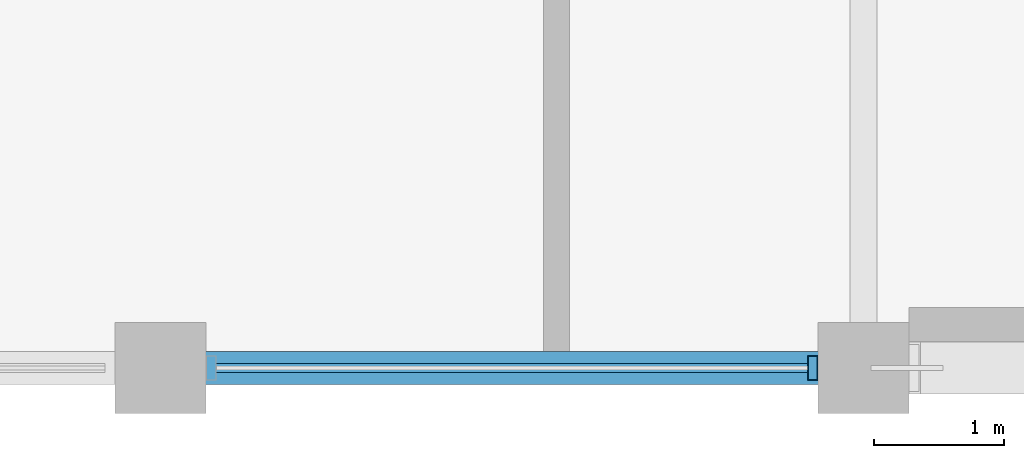
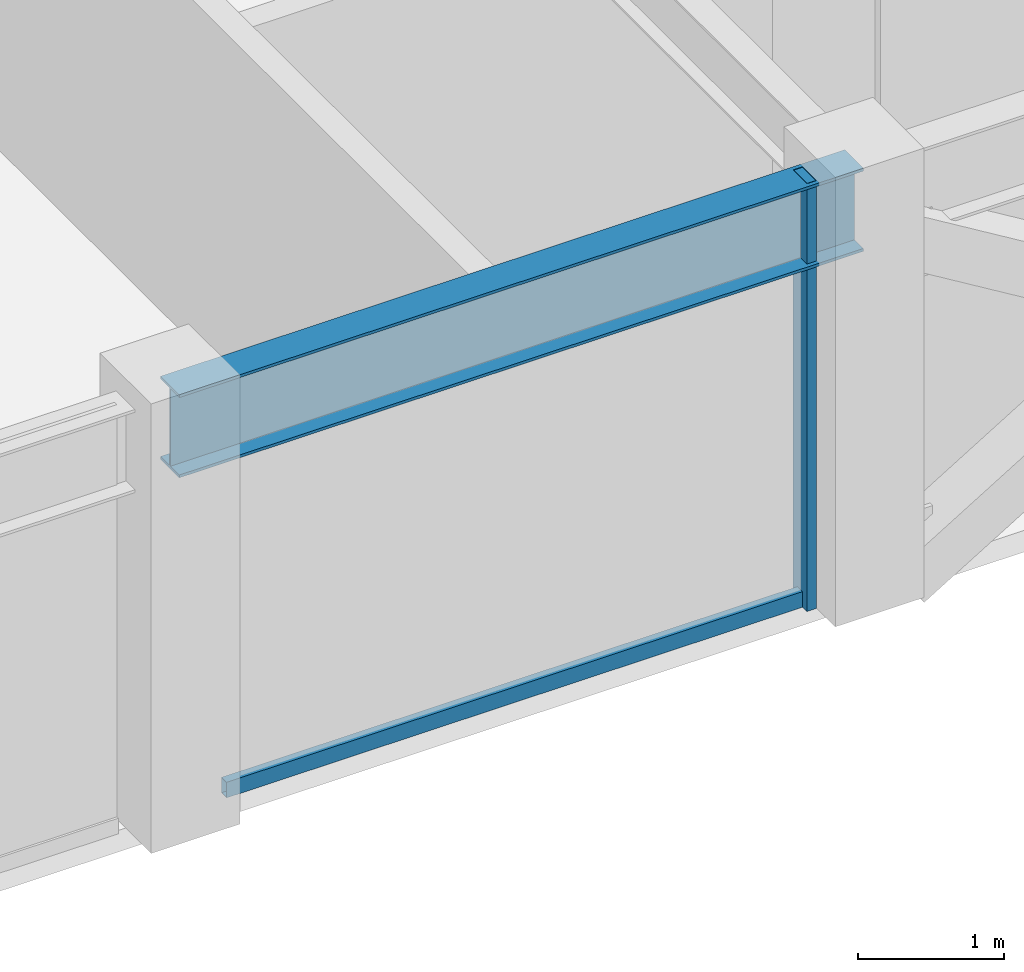
# One storey, part 3 of 30: 2 members, 1 beam, 1 element without a shape of its own.
"""IFC4 building model written with IfcOpenShell, lengths in metres."""

import ifcopenshell
import ifcopenshell.guid

model = None  # the IFC model being written
_history = None  # IfcOwnerHistory: only IFC2X3 demands one
_inside = {}  # id of a spatial element -> (the spatial element, [elements in it])
_under = {}  # id of a project, library or spatial element -> (it, [spatial elements below it])
_declared = {}  # id of a project -> (the project, [libraries it declares])
_typed = {}  # id of a type object -> (the type object, [elements of that type])
_made_of = {}  # id of a material, layer set ... -> (it, [elements and type objects made of it])


def new_model(schema):
    """Start an empty IFC model of exactly this schema.

    Asked for "IFC4X3", IfcOpenShell would pick the latest addendum, in which some entities
    have other attributes; the version numbers below select the first issue.
    IFC2X3 requires an IfcOwnerHistory on every rooted entity: one is made here for all.
    """
    global model, _history
    if schema == "IFC4X3":
        model = ifcopenshell.file(schema_version=(4, 3, 0, 0))
    else:
        model = ifcopenshell.file(schema=schema)
    _inside.clear()
    _under.clear()
    _declared.clear()
    _typed.clear()
    _made_of.clear()
    _history = None
    if model.schema == "IFC2X3":
        org = make("IfcOrganization", Name="unknown")
        user = make(
            "IfcPersonAndOrganization",
            ThePerson=make("IfcPerson", FamilyName="unknown"),
            TheOrganization=org,
        )
        app = make(
            "IfcApplication",
            ApplicationDeveloper=org,
            Version="unknown",
            ApplicationFullName="unknown",
            ApplicationIdentifier="unknown",
        )
        _history = make(
            "IfcOwnerHistory",
            OwningUser=user,
            OwningApplication=app,
            ChangeAction="ADDED",
            CreationDate=0,
        )
    return model


def make(cls, **values):
    """One entity of the class cls with the attributes given. An attribute that is None is left unset."""
    return model.create_entity(
        cls, **{name: value for name, value in values.items() if value is not None}
    )


def rooted(cls, **values):
    """An entity with a GlobalId (a new one), such as an element, a storey or a relation."""
    return make(cls, GlobalId=ifcopenshell.guid.new(), OwnerHistory=_history, **values)


def si_unit(unit_type, name, prefix=None):
    """IfcSIUnit, for example si_unit("LENGTHUNIT", "METRE", prefix="MILLI")."""
    return make("IfcSIUnit", UnitType=unit_type, Prefix=prefix, Name=name)


def assignment(units):
    """IfcUnitAssignment: the units of a project."""
    return None if units is None else make("IfcUnitAssignment", Units=units)


def point(xyz):
    """IfcCartesianPoint."""
    return None if xyz is None else make("IfcCartesianPoint", Coordinates=xyz)


def direction(xyz):
    """IfcDirection."""
    return None if xyz is None else make("IfcDirection", DirectionRatios=xyz)


def frame(location, z_axis=None, x_axis=None):
    """IfcAxis2Placement3D, a coordinate frame: its origin and axes. An axis left out is left unset."""
    return make(
        "IfcAxis2Placement3D",
        Location=point(location),
        Axis=direction(z_axis),
        RefDirection=direction(x_axis),
    )


def frame_2d(location, x_axis=None):
    """IfcAxis2Placement2D, a coordinate frame in the plane: its origin and x axis."""
    return make(
        "IfcAxis2Placement2D", Location=point(location), RefDirection=direction(x_axis)
    )


def origin():
    """The frame at (0, 0, 0) with its axes left unset."""
    return frame((0.0, 0.0, 0.0))


def origin_2d():
    """The frame at (0, 0) in the plane with its x axis left unset."""
    return frame_2d((0.0, 0.0))


def place(relative_to, where):
    """IfcLocalPlacement: puts the frame where relative to a parent placement (None: the world)."""
    return make(
        "IfcLocalPlacement", PlacementRelTo=relative_to, RelativePlacement=where
    )


def context(
    kind, dimensions, precision=None, world=None, true_north=None, identifier=None
):
    """IfcGeometricRepresentationContext, for example the 3D "Model" context."""
    return make(
        "IfcGeometricRepresentationContext",
        ContextIdentifier=identifier,
        ContextType=kind,
        CoordinateSpaceDimension=dimensions,
        Precision=precision,
        WorldCoordinateSystem=world,
        TrueNorth=true_north,
    )


def subcontext(parent, identifier, kind, view, scale=None):
    """IfcGeometricRepresentationSubContext, for example "Body" below "Model"."""
    return make(
        "IfcGeometricRepresentationSubContext",
        ContextIdentifier=identifier,
        ContextType=kind,
        ParentContext=parent,
        TargetScale=scale,
        TargetView=view,
    )


def project(units=None, contexts=None):
    """IfcProject with its units and contexts."""
    return rooted(
        "IfcProject",
        Name="project",
        RepresentationContexts=contexts,
        UnitsInContext=assignment(units),
    )


def spatial(cls, under=None, at=None, **own):
    """A site, building, storey or space (cls), placed at a placement, below another one or the project."""
    s = rooted(cls, ObjectPlacement=at, **own)
    if under is not None:
        _under.setdefault(under.id(), (under, []))[1].append(s)
    return s


def profile(cls, at=None, kind="AREA", **sizes):
    """A parametric profile (cls). Its sizes go by their IFC names, for example OverallWidth=200.0."""
    return make(cls, ProfileType=kind, Position=at, **sizes)


def hollow_rectangle(**sizes):
    """IfcRectangleHollowProfileDef."""
    return profile("IfcRectangleHollowProfileDef", **sizes)


def i_section(**sizes):
    """IfcIShapeProfileDef."""
    return profile("IfcIShapeProfileDef", **sizes)


def extrude(swept, where, along, depth):
    """IfcExtrudedAreaSolid: the profile swept, set in the frame where, extruded along a direction by depth."""
    return make(
        "IfcExtrudedAreaSolid",
        SweptArea=swept,
        Position=where,
        ExtrudedDirection=direction(along),
        Depth=depth,
    )


def shape(context_of_items, identifier, shape_type, items):
    """IfcShapeRepresentation: the items that make up one representation, for example the "Body"."""
    return make(
        "IfcShapeRepresentation",
        ContextOfItems=context_of_items,
        RepresentationIdentifier=identifier,
        RepresentationType=shape_type,
        Items=items,
    )


def material(Name=None, Category=None):
    """IfcMaterial."""
    return make("IfcMaterial", Name=Name, Category=Category)


def layer(
    of_material, thickness, ventilated=None, Name=None, Category=None, Priority=None
):
    """IfcMaterialLayer: one layer of a wall or slab, of a material (None: an air gap)."""
    return make(
        "IfcMaterialLayer",
        Material=of_material,
        LayerThickness=thickness,
        IsVentilated=ventilated,
        Name=Name,
        Category=Category,
        Priority=Priority,
    )


def layer_set(layers, Name=None):
    """IfcMaterialLayerSet."""
    return make("IfcMaterialLayerSet", MaterialLayers=layers, LayerSetName=Name)


def material_profile(
    of_material, cross_section, Name=None, Category=None, Priority=None
):
    """IfcMaterialProfile: a cross section and its material."""
    return make(
        "IfcMaterialProfile",
        Name=Name,
        Material=of_material,
        Profile=cross_section,
        Priority=Priority,
        Category=Category,
    )


def profile_set(profiles, Name=None, composite=None):
    """IfcMaterialProfileSet."""
    return make(
        "IfcMaterialProfileSet",
        Name=Name,
        MaterialProfiles=profiles,
        CompositeProfile=composite,
    )


def made_of(thing, what):
    """Note that an element or type object is made of a material, layer set ...; save() writes the relation."""
    if what is not None:
        _made_of.setdefault(what.id(), (what, []))[1].append(thing)
    return thing


def type_object(cls, material=None, **own):
    """A type object (cls), such as IfcWallType, which elements share."""
    return made_of(rooted(cls, **own), material)


def element(
    cls,
    number,
    at=None,
    inside=None,
    cuts=None,
    type_object=None,
    material=None,
    context=None,
    identifier="Body",
    shape_type=None,
    held_by="IfcProductDefinitionShape",
    body=None,
    shapes=None,
    **own,
):
    """One element of the class cls, such as IfcWall. Its Tag is "e" and its number.

    at: its placement. inside: the storey or other place that contains it. cuts: it is an
    opening in that element (IfcRelVoidsElement). A single representation is given by context,
    identifier, shape_type and body (its items); several are given by shapes. held_by: the class
    of the entity that holds the representations. save() writes the other relations.
    """
    e = rooted(cls, Tag="e%d" % number, ObjectPlacement=at, **own)
    if body is not None:
        shapes = [shape(context, identifier, shape_type, body)]
    if shapes is not None:
        e.Representation = make(held_by, Representations=shapes)
    if inside is not None:
        _inside.setdefault(inside.id(), (inside, []))[1].append(e)
    if cuts is not None:
        rooted(
            "IfcRelVoidsElement", RelatingBuildingElement=cuts, RelatedOpeningElement=e
        )
    if type_object is not None:
        _typed.setdefault(type_object.id(), (type_object, []))[1].append(e)
    return made_of(e, material)


def aggregate(whole, parts):
    """IfcRelAggregates: a whole, such as a stair, and the parts it consists of."""
    return rooted("IfcRelAggregates", RelatingObject=whole, RelatedObjects=parts)


def save(model, path):
    """Write the relations noted so far, then the file.

    IfcRelAggregates (storeys below a building ...), IfcRelContainedInSpatialStructure (elements
    in a storey), IfcRelDefinesByType, IfcRelAssociatesMaterial and IfcRelDeclares: one each for
    every whole, place, type object, material and project.
    """
    for whole, parts in _under.values():
        aggregate(whole, parts)
    for where, things in _inside.values():
        rooted(
            "IfcRelContainedInSpatialStructure",
            RelatedElements=things,
            RelatingStructure=where,
        )
    for kind, things in _typed.values():
        rooted("IfcRelDefinesByType", RelatedObjects=things, RelatingType=kind)
    for what, things in _made_of.values():
        rooted("IfcRelAssociatesMaterial", RelatedObjects=things, RelatingMaterial=what)
    for by, libraries in _declared.values():
        rooted("IfcRelDeclares", RelatingContext=by, RelatedDefinitions=libraries)
    model.write(path)


model = new_model("IFC4")

# Units and contexts
model_context = context("Model", 3, precision=1e-05, world=origin(), true_north=direction((0.0, 1.0)))
body_context = subcontext(model_context, "Body", "Model", "MODEL_VIEW")
ifc_project = project(units=[si_unit("LENGTHUNIT", "METRE"), si_unit("AREAUNIT", "SQUARE_METRE"), si_unit("VOLUMEUNIT", "CUBIC_METRE"), si_unit("PLANEANGLEUNIT", "RADIAN"), si_unit("MASSUNIT", "GRAM", prefix="KILO")], contexts=[model_context])

# Site, building, storey
site_placement = place(None, origin())
site = spatial("IfcSite", under=ifc_project, at=site_placement, CompositionType="ELEMENT")
building_placement = place(site_placement, origin())
building = spatial("IfcBuilding", under=site, at=building_placement, Name="Surkhivell Harbour Commons", CompositionType="ELEMENT")
storey_placement = place(building_placement, frame((0.0, 0.0, 296.25)))
storey = spatial("IfcBuildingStorey", under=building, at=storey_placement, Name="L77", CompositionType="ELEMENT", Elevation=296.25)

# Beam
ifc_material_1 = material(Name="Steel S355", Category="steel")
ifc_material_profile_1 = material_profile(ifc_material_1, i_section(OverallWidth=0.256103515625, OverallDepth=0.693115234375, WebThickness=0.014404296875, FlangeThickness=0.023681640625, at=origin_2d()), Name="UB686x254x170")
ifc_profile_set_1 = profile_set([ifc_material_profile_1], Name="Steel S355")
beam_type = type_object("IfcBeamType", Name="BM-SPN-686", PredefinedType="SPANDREL", material=ifc_profile_set_1)
beam_placement = place(storey_placement, frame((-16.199951171875, -21.60009765625, 3.223388671875), z_axis=(1.0, 0.0, 0.0), x_axis=(0.0, 1.0, 0.0)))
element("IfcBeam", 1, at=beam_placement, inside=storey, type_object=beam_type, Name="L77 Tube Spandrel (-16.2,-21.6)", PredefinedType="SPANDREL", context=body_context, shape_type="SweptSolid", body=[
    extrude(i_section(OverallWidth=0.256103515625, OverallDepth=0.693115234375, WebThickness=0.014404296875, FlangeThickness=0.023681640625, at=origin_2d()), origin(), (0.0, 0.0, 1.0), 5.39990234375),
])

# Curtain wall, members
ifc_material_2 = material(Name="Anodised pale-metal aluminium and insulated glazing", Category="aluminium")
ifc_layer = layer(ifc_material_2, 0.175048828125)
ifc_layer_set = layer_set([ifc_layer], Name="Anodised pale-metal aluminium and insulated glazing")
curtain_wall_type = type_object("IfcCurtainWallType", Name="CW-SYS-Z4", PredefinedType="NOTDEFINED", material=ifc_layer_set)
curtain_wall_placement = place(storey_placement, origin())
curtain_wall = element("IfcCurtainWall", 2, at=curtain_wall_placement, inside=storey, type_object=curtain_wall_type, Name="L77 Curtain Wall CW-L77-E00S1", PredefinedType="NOTDEFINED")
ifc_material_3 = material(Name="Anodised pale-metal aluminium alloy 6063-T6", Category="aluminium")
ifc_material_profile_2 = material_profile(ifc_material_3, hollow_rectangle(XDim=0.074951171875, YDim=0.18994140625, WallThickness=0.00390625, at=origin_2d()), Name="ALU-MULL-75x190")
ifc_profile_set_2 = profile_set([ifc_material_profile_2], Name="Anodised pale-metal aluminium alloy 6063-T6")
member_type_1 = type_object("IfcMemberType", Name="CWM-190", PredefinedType="MULLION", material=ifc_profile_set_2)
member_1_placement = place(storey_placement, frame((-11.189453125, -21.60009765625, 0.0), z_axis=(0.0, 0.0, 1.0), x_axis=(1.0, 0.0, 0.0)))
member_1 = element("IfcMember", 3, at=member_1_placement, type_object=member_type_1, Name="CW-Z4 mullion 3", PredefinedType="MULLION", context=body_context, shape_type="SweptSolid", body=[
    extrude(hollow_rectangle(XDim=0.074951171875, YDim=0.18994140625, WallThickness=0.00390625, at=origin_2d()), origin(), (0.0, 0.0, 1.0), 3.570068359375),
])
ifc_material_4 = material(Name="Champagne anodised aluminium alloy 6063-T6", Category="aluminium")
ifc_material_profile_3 = material_profile(ifc_material_4, hollow_rectangle(XDim=0.070068359375, YDim=0.1298828125, WallThickness=0.00341796875, at=origin_2d()), Name="ALU-TRAN-70x130")
ifc_profile_set_3 = profile_set([ifc_material_profile_3], Name="Champagne anodised aluminium alloy 6063-T6")
member_type_2 = type_object("IfcMemberType", Name="CWT-130", PredefinedType="USERDEFINED", material=ifc_profile_set_3)
member_2_placement = place(storey_placement, frame((-15.77294921875, -21.60009765625, 0.06494140625), z_axis=(1.0, 0.0, 0.0), x_axis=(0.0, 1.0, 0.0)))
member_2 = element("IfcMember", 4, at=member_2_placement, type_object=member_type_2, Name="CW-Z4 transom 2.1", ObjectType="TRANSOM", PredefinedType="USERDEFINED", context=body_context, shape_type="SweptSolid", body=[
    extrude(hollow_rectangle(XDim=0.070068359375, YDim=0.1298828125, WallThickness=0.00341796875, at=origin_2d()), origin(), (0.0, 0.0, 1.0), 4.5458984375),
])
aggregate(curtain_wall, [member_1, member_2])

save(model, "model.ifc")
